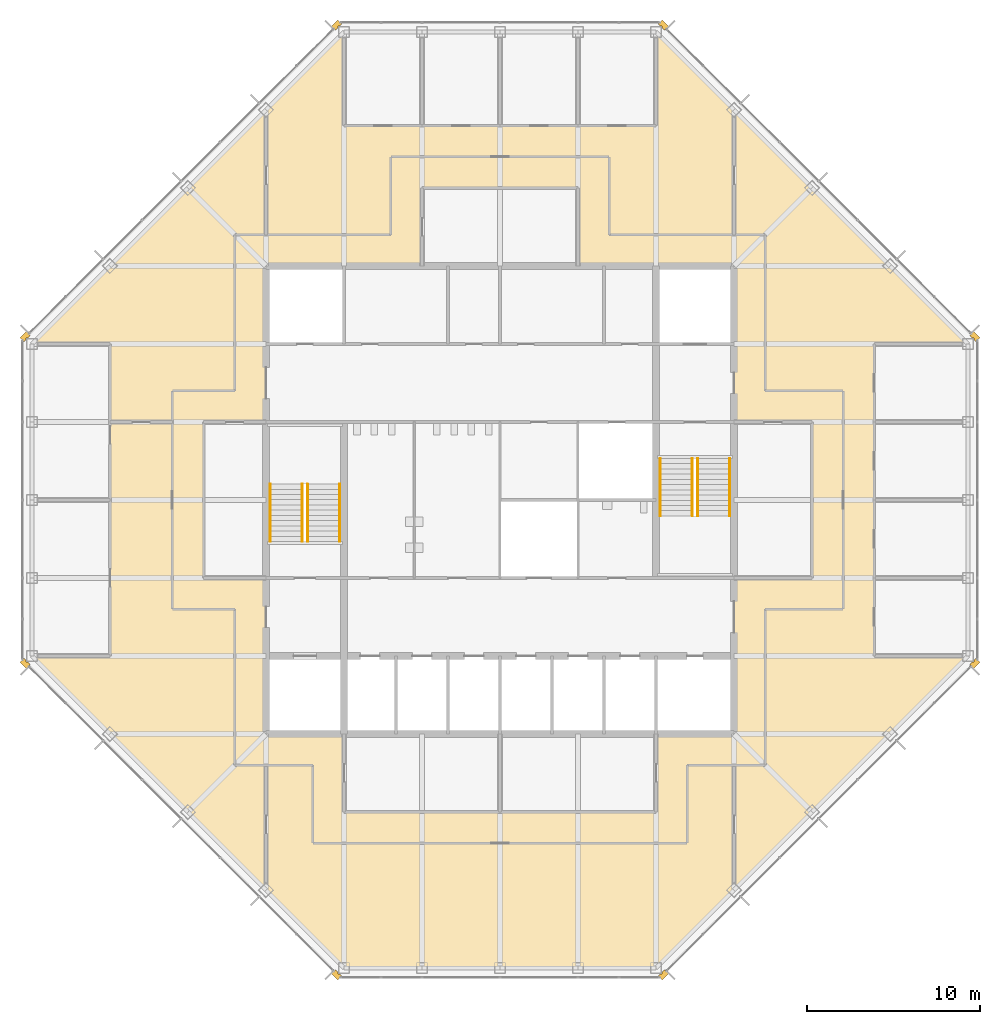
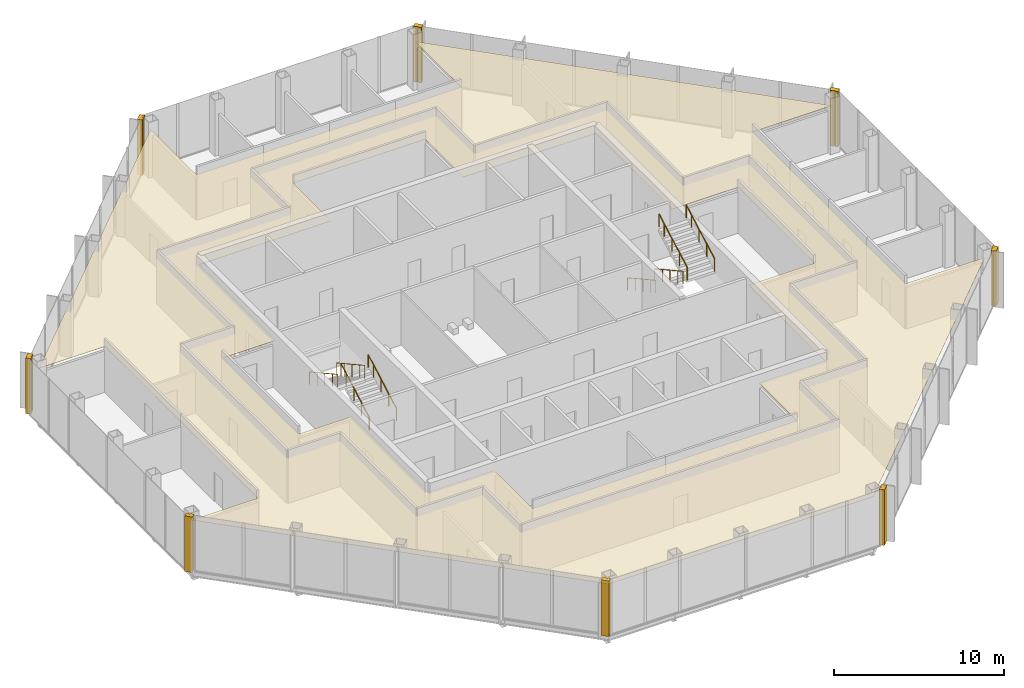
# One storey, part 13 of 14: 9 coverings, 8 railings.
"""IFC4 building model written with IfcOpenShell, lengths in metres."""

import ifcopenshell
import ifcopenshell.guid

model = None  # the IFC model being written
_history = None  # IfcOwnerHistory: only IFC2X3 demands one
_inside = {}  # id of a spatial element -> (the spatial element, [elements in it])
_under = {}  # id of a project, library or spatial element -> (it, [spatial elements below it])
_declared = {}  # id of a project -> (the project, [libraries it declares])
_typed = {}  # id of a type object -> (the type object, [elements of that type])
_made_of = {}  # id of a material, layer set ... -> (it, [elements and type objects made of it])


def new_model(schema):
    """Start an empty IFC model of exactly this schema.

    Asked for "IFC4X3", IfcOpenShell would pick the latest addendum, in which some entities
    have other attributes; the version numbers below select the first issue.
    IFC2X3 requires an IfcOwnerHistory on every rooted entity: one is made here for all.
    """
    global model, _history
    if schema == "IFC4X3":
        model = ifcopenshell.file(schema_version=(4, 3, 0, 0))
    else:
        model = ifcopenshell.file(schema=schema)
    _inside.clear()
    _under.clear()
    _declared.clear()
    _typed.clear()
    _made_of.clear()
    _history = None
    if model.schema == "IFC2X3":
        org = make("IfcOrganization", Name="unknown")
        user = make(
            "IfcPersonAndOrganization",
            ThePerson=make("IfcPerson", FamilyName="unknown"),
            TheOrganization=org,
        )
        app = make(
            "IfcApplication",
            ApplicationDeveloper=org,
            Version="unknown",
            ApplicationFullName="unknown",
            ApplicationIdentifier="unknown",
        )
        _history = make(
            "IfcOwnerHistory",
            OwningUser=user,
            OwningApplication=app,
            ChangeAction="ADDED",
            CreationDate=0,
        )
    return model


def make(cls, **values):
    """One entity of the class cls with the attributes given. An attribute that is None is left unset."""
    return model.create_entity(
        cls, **{name: value for name, value in values.items() if value is not None}
    )


def rooted(cls, **values):
    """An entity with a GlobalId (a new one), such as an element, a storey or a relation."""
    return make(cls, GlobalId=ifcopenshell.guid.new(), OwnerHistory=_history, **values)


def si_unit(unit_type, name, prefix=None):
    """IfcSIUnit, for example si_unit("LENGTHUNIT", "METRE", prefix="MILLI")."""
    return make("IfcSIUnit", UnitType=unit_type, Prefix=prefix, Name=name)


def assignment(units):
    """IfcUnitAssignment: the units of a project."""
    return None if units is None else make("IfcUnitAssignment", Units=units)


def point(xyz):
    """IfcCartesianPoint."""
    return None if xyz is None else make("IfcCartesianPoint", Coordinates=xyz)


def direction(xyz):
    """IfcDirection."""
    return None if xyz is None else make("IfcDirection", DirectionRatios=xyz)


def frame(location, z_axis=None, x_axis=None):
    """IfcAxis2Placement3D, a coordinate frame: its origin and axes. An axis left out is left unset."""
    return make(
        "IfcAxis2Placement3D",
        Location=point(location),
        Axis=direction(z_axis),
        RefDirection=direction(x_axis),
    )


def frame_2d(location, x_axis=None):
    """IfcAxis2Placement2D, a coordinate frame in the plane: its origin and x axis."""
    return make(
        "IfcAxis2Placement2D", Location=point(location), RefDirection=direction(x_axis)
    )


def origin():
    """The frame at (0, 0, 0) with its axes left unset."""
    return frame((0.0, 0.0, 0.0))


def origin_2d():
    """The frame at (0, 0) in the plane with its x axis left unset."""
    return frame_2d((0.0, 0.0))


def place(relative_to, where):
    """IfcLocalPlacement: puts the frame where relative to a parent placement (None: the world)."""
    return make(
        "IfcLocalPlacement", PlacementRelTo=relative_to, RelativePlacement=where
    )


def context(
    kind, dimensions, precision=None, world=None, true_north=None, identifier=None
):
    """IfcGeometricRepresentationContext, for example the 3D "Model" context."""
    return make(
        "IfcGeometricRepresentationContext",
        ContextIdentifier=identifier,
        ContextType=kind,
        CoordinateSpaceDimension=dimensions,
        Precision=precision,
        WorldCoordinateSystem=world,
        TrueNorth=true_north,
    )


def subcontext(parent, identifier, kind, view, scale=None):
    """IfcGeometricRepresentationSubContext, for example "Body" below "Model"."""
    return make(
        "IfcGeometricRepresentationSubContext",
        ContextIdentifier=identifier,
        ContextType=kind,
        ParentContext=parent,
        TargetScale=scale,
        TargetView=view,
    )


def project(units=None, contexts=None):
    """IfcProject with its units and contexts."""
    return rooted(
        "IfcProject",
        Name="project",
        RepresentationContexts=contexts,
        UnitsInContext=assignment(units),
    )


def spatial(cls, under=None, at=None, **own):
    """A site, building, storey or space (cls), placed at a placement, below another one or the project."""
    s = rooted(cls, ObjectPlacement=at, **own)
    if under is not None:
        _under.setdefault(under.id(), (under, []))[1].append(s)
    return s


def polyline(points):
    """IfcPolyline through the points."""
    return make("IfcPolyline", Points=[point(p) for p in points])


def profile(cls, at=None, kind="AREA", **sizes):
    """A parametric profile (cls). Its sizes go by their IFC names, for example OverallWidth=200.0."""
    return make(cls, ProfileType=kind, Position=at, **sizes)


def circle(**sizes):
    """IfcCircleProfileDef."""
    return profile("IfcCircleProfileDef", **sizes)


def outline(outer, holes=None, kind="AREA"):
    """IfcArbitraryClosedProfileDef: a profile drawn as a closed curve; with holes, ...WithVoids."""
    if holes is None:
        return make("IfcArbitraryClosedProfileDef", ProfileType=kind, OuterCurve=outer)
    return make(
        "IfcArbitraryProfileDefWithVoids",
        ProfileType=kind,
        OuterCurve=outer,
        InnerCurves=holes,
    )


def extrude(swept, where, along, depth):
    """IfcExtrudedAreaSolid: the profile swept, set in the frame where, extruded along a direction by depth."""
    return make(
        "IfcExtrudedAreaSolid",
        SweptArea=swept,
        Position=where,
        ExtrudedDirection=direction(along),
        Depth=depth,
    )


def shape(context_of_items, identifier, shape_type, items):
    """IfcShapeRepresentation: the items that make up one representation, for example the "Body"."""
    return make(
        "IfcShapeRepresentation",
        ContextOfItems=context_of_items,
        RepresentationIdentifier=identifier,
        RepresentationType=shape_type,
        Items=items,
    )


def material(Name=None, Category=None):
    """IfcMaterial."""
    return make("IfcMaterial", Name=Name, Category=Category)


def layer(
    of_material, thickness, ventilated=None, Name=None, Category=None, Priority=None
):
    """IfcMaterialLayer: one layer of a wall or slab, of a material (None: an air gap)."""
    return make(
        "IfcMaterialLayer",
        Material=of_material,
        LayerThickness=thickness,
        IsVentilated=ventilated,
        Name=Name,
        Category=Category,
        Priority=Priority,
    )


def layer_set(layers, Name=None):
    """IfcMaterialLayerSet."""
    return make("IfcMaterialLayerSet", MaterialLayers=layers, LayerSetName=Name)


def made_of(thing, what):
    """Note that an element or type object is made of a material, layer set ...; save() writes the relation."""
    if what is not None:
        _made_of.setdefault(what.id(), (what, []))[1].append(thing)
    return thing


def type_object(cls, material=None, **own):
    """A type object (cls), such as IfcWallType, which elements share."""
    return made_of(rooted(cls, **own), material)


def element(
    cls,
    number,
    at=None,
    inside=None,
    cuts=None,
    type_object=None,
    material=None,
    context=None,
    identifier="Body",
    shape_type=None,
    held_by="IfcProductDefinitionShape",
    body=None,
    shapes=None,
    **own,
):
    """One element of the class cls, such as IfcWall. Its Tag is "e" and its number.

    at: its placement. inside: the storey or other place that contains it. cuts: it is an
    opening in that element (IfcRelVoidsElement). A single representation is given by context,
    identifier, shape_type and body (its items); several are given by shapes. held_by: the class
    of the entity that holds the representations. save() writes the other relations.
    """
    e = rooted(cls, Tag="e%d" % number, ObjectPlacement=at, **own)
    if body is not None:
        shapes = [shape(context, identifier, shape_type, body)]
    if shapes is not None:
        e.Representation = make(held_by, Representations=shapes)
    if inside is not None:
        _inside.setdefault(inside.id(), (inside, []))[1].append(e)
    if cuts is not None:
        rooted(
            "IfcRelVoidsElement", RelatingBuildingElement=cuts, RelatedOpeningElement=e
        )
    if type_object is not None:
        _typed.setdefault(type_object.id(), (type_object, []))[1].append(e)
    return made_of(e, material)


def aggregate(whole, parts):
    """IfcRelAggregates: a whole, such as a stair, and the parts it consists of."""
    return rooted("IfcRelAggregates", RelatingObject=whole, RelatedObjects=parts)


def save(model, path):
    """Write the relations noted so far, then the file.

    IfcRelAggregates (storeys below a building ...), IfcRelContainedInSpatialStructure (elements
    in a storey), IfcRelDefinesByType, IfcRelAssociatesMaterial and IfcRelDeclares: one each for
    every whole, place, type object, material and project.
    """
    for whole, parts in _under.values():
        aggregate(whole, parts)
    for where, things in _inside.values():
        rooted(
            "IfcRelContainedInSpatialStructure",
            RelatedElements=things,
            RelatingStructure=where,
        )
    for kind, things in _typed.values():
        rooted("IfcRelDefinesByType", RelatedObjects=things, RelatingType=kind)
    for what, things in _made_of.values():
        rooted("IfcRelAssociatesMaterial", RelatedObjects=things, RelatingMaterial=what)
    for by, libraries in _declared.values():
        rooted("IfcRelDeclares", RelatingContext=by, RelatedDefinitions=libraries)
    model.write(path)


model = new_model("IFC4")

# Units and contexts
model_context = context("Model", 3, precision=1e-05, world=origin(), true_north=direction((0.0, 1.0)))
body_context = subcontext(model_context, "Body", "Model", "MODEL_VIEW")
ifc_project = project(units=[si_unit("LENGTHUNIT", "METRE"), si_unit("AREAUNIT", "SQUARE_METRE"), si_unit("VOLUMEUNIT", "CUBIC_METRE"), si_unit("PLANEANGLEUNIT", "RADIAN"), si_unit("MASSUNIT", "GRAM", prefix="KILO")], contexts=[model_context])

# Site, building, storey
site_placement = place(None, origin())
site = spatial("IfcSite", under=ifc_project, at=site_placement, CompositionType="ELEMENT")
building_placement = place(site_placement, origin())
building = spatial("IfcBuilding", under=site, at=building_placement, Name="Corais Broadcast Tower", CompositionType="ELEMENT")
storey_placement = place(building_placement, frame((0.0, 0.0, 214.60009765625)))
storey = spatial("IfcBuildingStorey", under=building, at=storey_placement, Name="L49", CompositionType="ELEMENT", Elevation=214.60009765625)

# Railings
ifc_material_1 = material(Name="Stainless steel handrail", Category="steel")
railing_type = type_object("IfcRailingType", Name="Handrail 920", PredefinedType="HANDRAIL", material=ifc_material_1)
for number, where, name in (
    (1, (17.75, 24.60009765625, 0.16650390625), "HR1 L49"),
    (2, (15.89990234375, 24.60009765625, 0.16650390625), "HR1 L49"),
):
    element("IfcRailing", number, at=place(storey_placement, frame(where)), inside=storey, type_object=railing_type, Name=name, PredefinedType="HANDRAIL", context=body_context, shape_type="SweptSolid", body=[
        extrude(circle(Radius=0.02392578125, at=origin_2d()), frame((0.0, 0.0, 0.89599609375), z_axis=(0.0, 0.875504475178, 0.483210010185), x_axis=(-1.0, 0.0, 0.0)), (0.0, 0.0, 1.0), 3.79443359375),
        extrude(circle(Radius=0.02099609375, at=origin_2d()), origin(), (0.0, 0.0, 1.0), 0.871826171875),
        extrude(circle(Radius=0.02099609375, at=origin_2d()), frame((0.0, 0.906005859375, 0.5)), (0.0, 0.0, 1.0), 0.871826171875),
        extrude(circle(Radius=0.02099609375, at=origin_2d()), frame((0.0, 1.81201171875, 1.0)), (0.0, 0.0, 1.0), 0.871826171875),
        extrude(circle(Radius=0.02099609375, at=origin_2d()), frame((0.0, 2.718017578125, 1.500244140625)), (0.0, 0.0, 1.0), 0.871826171875),
        extrude(circle(Radius=0.02099609375, at=origin_2d()), frame((0.0, 3.322021484375, 1.83349609375)), (0.0, 0.0, 1.0), 0.871826171875),
    ])
for number, where, name in (
    (3, (13.75, 27.922119140625, 2.16650390625), "HR1 L49"),
    (4, (15.60009765625, 27.922119140625, 2.16650390625), "HR1 L49"),
    (5, (36.25, 29.39990234375, 0.16650390625), "HR1 L49"),
    (6, (38.10009765625, 29.39990234375, 0.16650390625), "HR1 L49"),
):
    element("IfcRailing", number, at=place(storey_placement, frame(where)), inside=storey, type_object=railing_type, Name=name, PredefinedType="HANDRAIL", context=body_context, shape_type="SweptSolid", body=[
        extrude(circle(Radius=0.02392578125, at=origin_2d()), frame((0.0, 0.0, 0.89599609375), z_axis=(0.0, -0.875504475178, 0.483210010185), x_axis=(1.0, 0.0, 0.0)), (0.0, 0.0, 1.0), 3.79443359375),
        extrude(circle(Radius=0.02099609375, at=origin_2d()), origin(), (0.0, 0.0, 1.0), 0.871826171875),
        extrude(circle(Radius=0.02099609375, at=origin_2d()), frame((0.0, -0.906005859375, 0.5)), (0.0, 0.0, 1.0), 0.871826171875),
        extrude(circle(Radius=0.02099609375, at=origin_2d()), frame((0.0, -1.81201171875, 1.0)), (0.0, 0.0, 1.0), 0.871826171875),
        extrude(circle(Radius=0.02099609375, at=origin_2d()), frame((0.0, -2.718017578125, 1.500244140625)), (0.0, 0.0, 1.0), 0.871826171875),
        extrude(circle(Radius=0.02099609375, at=origin_2d()), frame((0.0, -3.322021484375, 1.83349609375)), (0.0, 0.0, 1.0), 0.871826171875),
    ])
for number, where, name in (
    (7, (40.25, 26.077880859375, 2.16650390625), "HR1 L49"),
    (8, (38.39990234375, 26.077880859375, 2.16650390625), "HR1 L49"),
):
    element("IfcRailing", number, at=place(storey_placement, frame(where)), inside=storey, type_object=railing_type, Name=name, PredefinedType="HANDRAIL", context=body_context, shape_type="SweptSolid", body=[
        extrude(circle(Radius=0.02392578125, at=origin_2d()), frame((0.0, 0.0, 0.89599609375), z_axis=(0.0, 0.875504475178, 0.483210010185), x_axis=(-1.0, 0.0, 0.0)), (0.0, 0.0, 1.0), 3.79443359375),
        extrude(circle(Radius=0.02099609375, at=origin_2d()), origin(), (0.0, 0.0, 1.0), 0.871826171875),
        extrude(circle(Radius=0.02099609375, at=origin_2d()), frame((0.0, 0.906005859375, 0.5)), (0.0, 0.0, 1.0), 0.871826171875),
        extrude(circle(Radius=0.02099609375, at=origin_2d()), frame((0.0, 1.81201171875, 1.0)), (0.0, 0.0, 1.0), 0.871826171875),
        extrude(circle(Radius=0.02099609375, at=origin_2d()), frame((0.0, 2.718017578125, 1.500244140625)), (0.0, 0.0, 1.0), 0.871826171875),
        extrude(circle(Radius=0.02099609375, at=origin_2d()), frame((0.0, 3.322021484375, 1.83349609375)), (0.0, 0.0, 1.0), 0.871826171875),
    ])

# Coverings
ifc_material_2 = material(Name="Granite stone cladding", Category="masonry")
ifc_layer_1 = layer(ifc_material_2, 0.324951171875)
ifc_layer_set_1 = layer_set([ifc_layer_1], Name="Granite stone cladding")
covering_type_1 = type_object("IfcCoveringType", Name="Stone corner pier cladding 500x325", PredefinedType="CLADDING", material=ifc_layer_set_1)
covering_1_placement = place(storey_placement, origin())
element("IfcCovering", 9, at=covering_1_placement, inside=storey, type_object=covering_type_1, Name="SP1 stone corner pier L49", PredefinedType="CLADDING", context=body_context, shape_type="SweptSolid", body=[
    extrude(outline(polyline([(17.860595703125, -0.461669921875), (17.7490234375, -0.35009765625), (17.64990234375, -0.35009765625), (17.64990234375, -0.2509765625), (17.507080078125, -0.108154296875), (17.277099609375, -0.337890625), (17.630859375, -0.69140625), (17.860595703125, -0.461669921875)])), origin(), (0.0, 0.0, 1.0), 4.0),
])
covering_2_placement = place(storey_placement, origin())
element("IfcCovering", 10, at=covering_2_placement, inside=storey, type_object=covering_type_1, Name="SP1 stone corner pier L49", PredefinedType="CLADDING", context=body_context, shape_type="SweptSolid", body=[
    extrude(outline(polyline([(-0.35009765625, 17.7490234375), (-0.461669921875, 17.860595703125), (-0.69140625, 17.630859375), (-0.337890625, 17.277099609375), (-0.108154296875, 17.507080078125), (-0.2509765625, 17.64990234375), (-0.35009765625, 17.64990234375), (-0.35009765625, 17.7490234375)])), origin(), (0.0, 0.0, 1.0), 4.0),
])
covering_3_placement = place(storey_placement, origin())
element("IfcCovering", 11, at=covering_3_placement, inside=storey, type_object=covering_type_1, Name="SP1 stone corner pier L49", PredefinedType="CLADDING", context=body_context, shape_type="SweptSolid", body=[
    extrude(outline(polyline([(-0.461669921875, 36.139404296875), (-0.35009765625, 36.2509765625), (-0.35009765625, 36.35009765625), (-0.2509765625, 36.35009765625), (-0.108154296875, 36.492919921875), (-0.337890625, 36.722900390625), (-0.69140625, 36.369140625), (-0.461669921875, 36.139404296875)])), origin(), (0.0, 0.0, 1.0), 4.0),
])
covering_4_placement = place(storey_placement, origin())
element("IfcCovering", 12, at=covering_4_placement, inside=storey, type_object=covering_type_1, Name="SP1 stone corner pier L49", PredefinedType="CLADDING", context=body_context, shape_type="SweptSolid", body=[
    extrude(outline(polyline([(17.7490234375, 54.35009765625), (17.860595703125, 54.461669921875), (17.630859375, 54.69140625), (17.277099609375, 54.337890625), (17.507080078125, 54.108154296875), (17.64990234375, 54.2509765625), (17.64990234375, 54.35009765625), (17.7490234375, 54.35009765625)])), origin(), (0.0, 0.0, 1.0), 4.0),
])
covering_5_placement = place(storey_placement, origin())
element("IfcCovering", 13, at=covering_5_placement, inside=storey, type_object=covering_type_1, Name="SP1 stone corner pier L49", PredefinedType="CLADDING", context=body_context, shape_type="SweptSolid", body=[
    extrude(outline(polyline([(36.139404296875, 54.461669921875), (36.2509765625, 54.35009765625), (36.35009765625, 54.35009765625), (36.35009765625, 54.2509765625), (36.492919921875, 54.108154296875), (36.722900390625, 54.337890625), (36.369140625, 54.69140625), (36.139404296875, 54.461669921875)])), origin(), (0.0, 0.0, 1.0), 4.0),
])
covering_6_placement = place(storey_placement, origin())
element("IfcCovering", 14, at=covering_6_placement, inside=storey, type_object=covering_type_1, Name="SP1 stone corner pier L49", PredefinedType="CLADDING", context=body_context, shape_type="SweptSolid", body=[
    extrude(outline(polyline([(54.35009765625, 36.2509765625), (54.461669921875, 36.139404296875), (54.69140625, 36.369140625), (54.337890625, 36.722900390625), (54.108154296875, 36.492919921875), (54.2509765625, 36.35009765625), (54.35009765625, 36.35009765625), (54.35009765625, 36.2509765625)])), origin(), (0.0, 0.0, 1.0), 4.0),
])
covering_7_placement = place(storey_placement, origin())
element("IfcCovering", 15, at=covering_7_placement, inside=storey, type_object=covering_type_1, Name="SP1 stone corner pier L49", PredefinedType="CLADDING", context=body_context, shape_type="SweptSolid", body=[
    extrude(outline(polyline([(54.461669921875, 17.860595703125), (54.35009765625, 17.7490234375), (54.35009765625, 17.64990234375), (54.2509765625, 17.64990234375), (54.108154296875, 17.507080078125), (54.337890625, 17.277099609375), (54.69140625, 17.630859375), (54.461669921875, 17.860595703125)])), origin(), (0.0, 0.0, 1.0), 4.0),
])
covering_8_placement = place(storey_placement, origin())
element("IfcCovering", 16, at=covering_8_placement, inside=storey, type_object=covering_type_1, Name="SP1 stone corner pier L49", PredefinedType="CLADDING", context=body_context, shape_type="SweptSolid", body=[
    extrude(outline(polyline([(36.2509765625, -0.35009765625), (36.139404296875, -0.461669921875), (36.369140625, -0.69140625), (36.722900390625, -0.337890625), (36.492919921875, -0.108154296875), (36.35009765625, -0.2509765625), (36.35009765625, -0.35009765625), (36.2509765625, -0.35009765625)])), origin(), (0.0, 0.0, 1.0), 4.0),
])
ifc_material_3 = material(Name="Mineral fibre ceiling tile", Category="mineral")
ifc_layer_2 = layer(ifc_material_3, 0.02001953125)
ifc_layer_set_2 = layer_set([ifc_layer_2], Name="Mineral fibre ceiling tile")
covering_type_2 = type_object("IfcCoveringType", Name="Suspended ceiling", PredefinedType="CEILING", material=ifc_layer_set_2)
covering_9_placement = place(storey_placement, frame((0.0, 0.0, 3.219970703125)))
element("IfcCovering", 17, at=covering_9_placement, inside=storey, type_object=covering_type_2, Name="CE1 ceiling L49", PredefinedType="CEILING", context=body_context, shape_type="SweptSolid", body=[
    extrude(outline(polyline([(13.5, 49.5), (18.0, 54.0), (18.0, 48.60009765625), (36.0, 48.60009765625), (36.0, 54.0), (54.0, 36.0), (48.60009765625, 36.0), (48.60009765625, 18.0), (54.0, 18.0), (40.500244140625, 4.500244140625), (36.0, 0.0), (18.0, 0.0), (13.501708984375, 4.498291015625), (13.50048828125, 4.49951171875), (13.499755859375, 4.500244140625), (0.0, 18.0), (4.5, 18.0), (4.5, 36.0), (0.0, 36.0), (13.5, 49.5)]), holes=[polyline([(40.5, 31.5), (40.5, 40.5), (31.5, 40.5), (31.5, 45.0), (22.5, 45.0), (22.5, 40.5), (13.5, 40.5), (13.5, 31.5), (9.89990234375, 31.5), (9.89990234375, 22.5), (13.5, 22.5), (13.5, 13.5), (18.0, 13.5), (18.0, 9.0), (36.0, 9.0), (36.0, 13.5), (40.5, 13.5), (40.5, 22.5), (45.0, 22.5), (45.0, 31.5), (40.5, 31.5)])]), origin(), (0.0, 0.0, 1.0), 0.02001953125),
])

save(model, "model.ifc")
